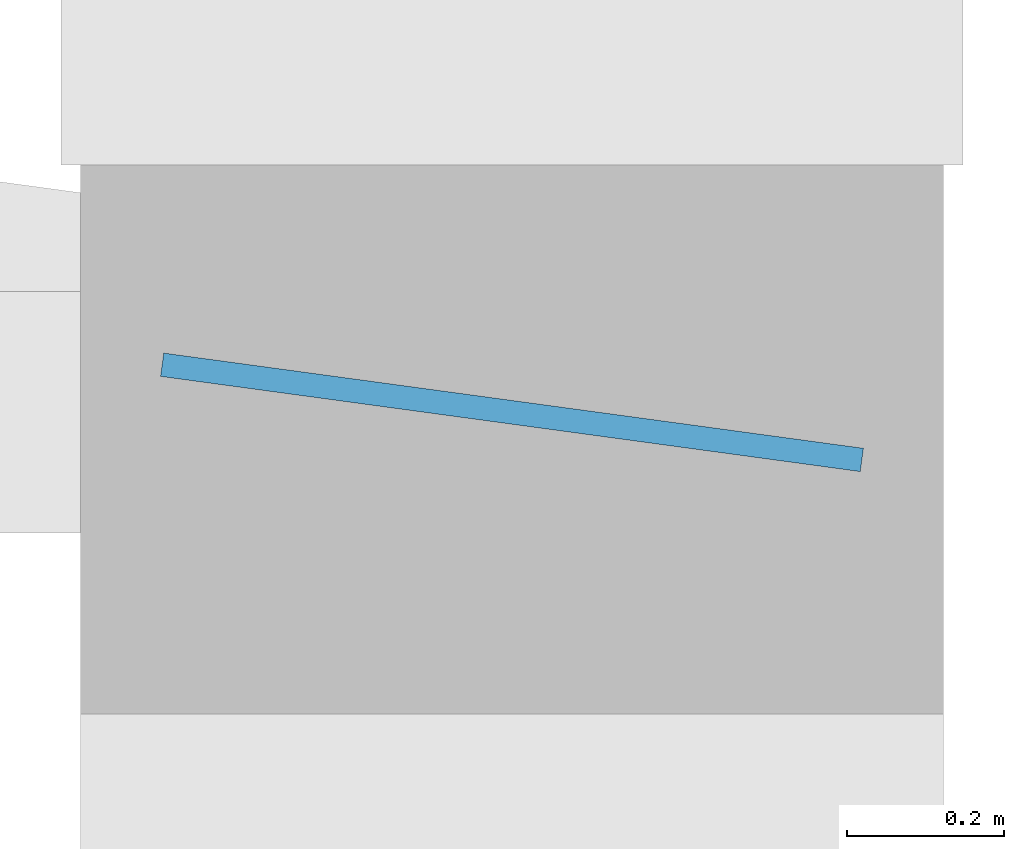
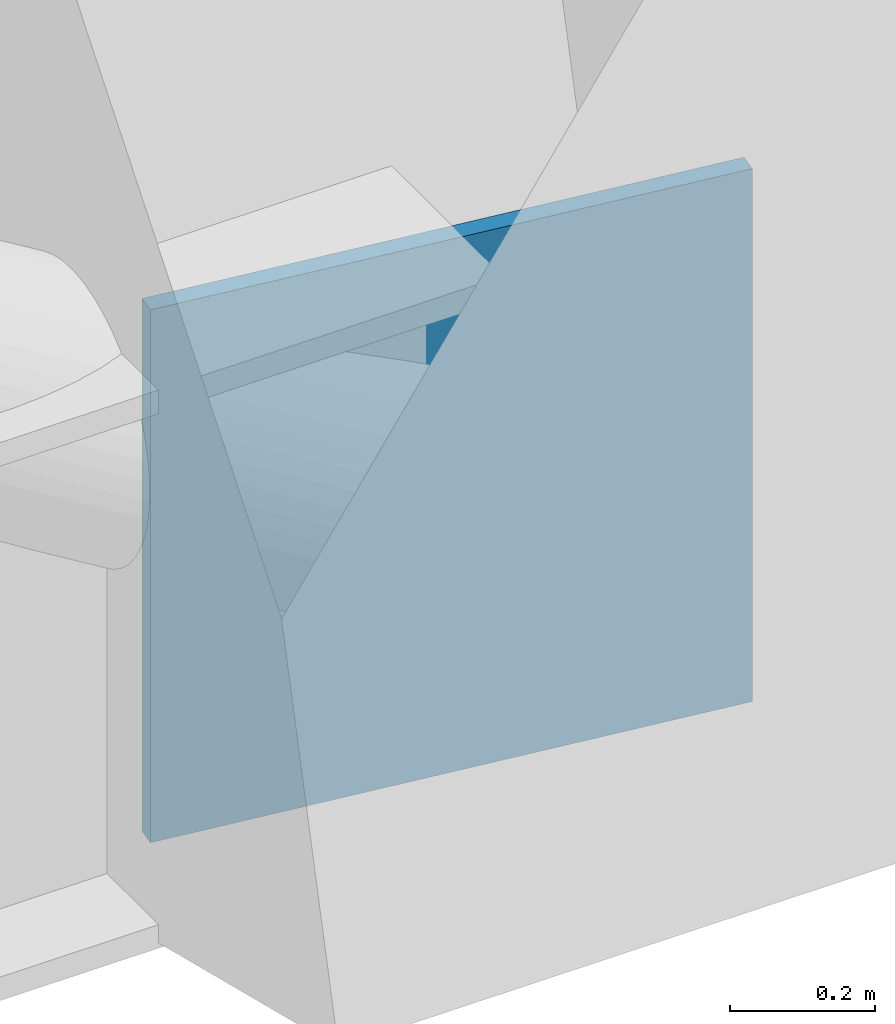
# One storey, part 18 of 27: 1 discrete accessory.
"""IFC4 building model written with IfcOpenShell, lengths in metres."""

from ifc_helpers import new_model, si_unit, direction, frame, origin, origin_2d, place, context, subcontext, project, spatial, rectangle, extrude, element, save


model = new_model("IFC4")

# Units and contexts
model_context = context("Model", 3, precision=1e-05, world=origin(), true_north=direction((0.0, 1.0)))
body_context = subcontext(model_context, "Body", "Model", "MODEL_VIEW")
ifc_project = project(units=[si_unit("LENGTHUNIT", "METRE"), si_unit("AREAUNIT", "SQUARE_METRE"), si_unit("VOLUMEUNIT", "CUBIC_METRE"), si_unit("PLANEANGLEUNIT", "RADIAN"), si_unit("MASSUNIT", "GRAM", prefix="KILO")], contexts=[model_context])

# Site, building, storey
site_placement = place(None, origin())
site = spatial("IfcSite", under=ifc_project, at=site_placement, CompositionType="ELEMENT")
building_placement = place(site_placement, origin())
building = spatial("IfcBuilding", under=site, at=building_placement, Name="Zellij Exchange Tower", CompositionType="ELEMENT")
storey_placement = place(building_placement, frame((0.0, 0.0, 104.5)))
storey = spatial("IfcBuildingStorey", under=building, at=storey_placement, Name="L22", CompositionType="ELEMENT", Elevation=104.5)

# Discrete accessory
discrete_accessory_placement = place(storey_placement, frame((32.25, -25.382080078125, 0.021240234375), z_axis=(0.0, 0.0, 1.0), x_axis=(0.990868250829, -0.134833636381, 0.0)))
element("IfcDiscreteAccessory", 1, at=discrete_accessory_placement, inside=storey, Name="Gusset plate", PredefinedType="BRACKET", context=body_context, shape_type="SweptSolid", body=[
    extrude(rectangle(XDim=0.89990234375, YDim=0.030029296875, at=origin_2d()), origin(), (0.0, 0.0, 1.0), 0.89990234375),
])

save(model, "model.ifc")
